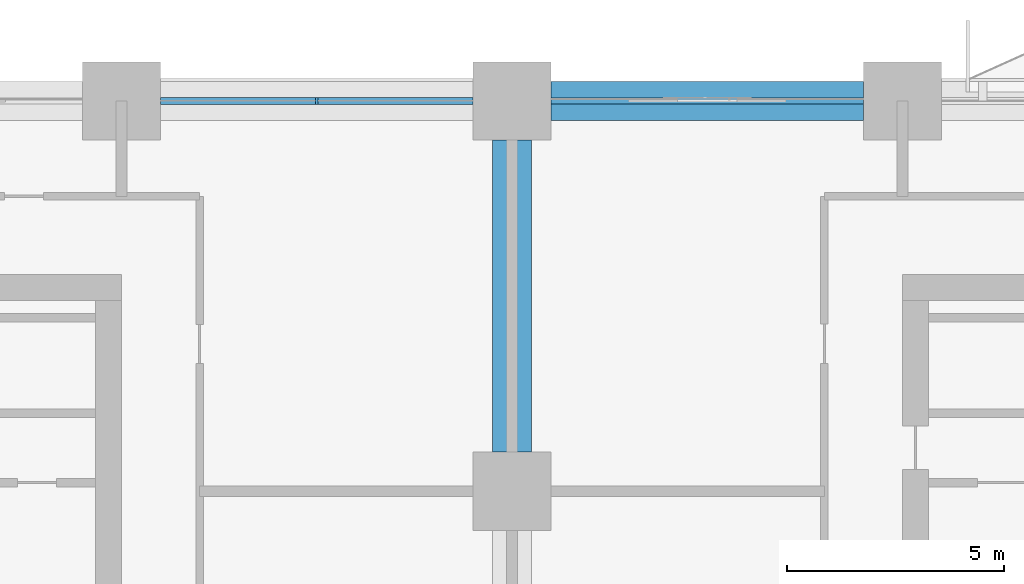
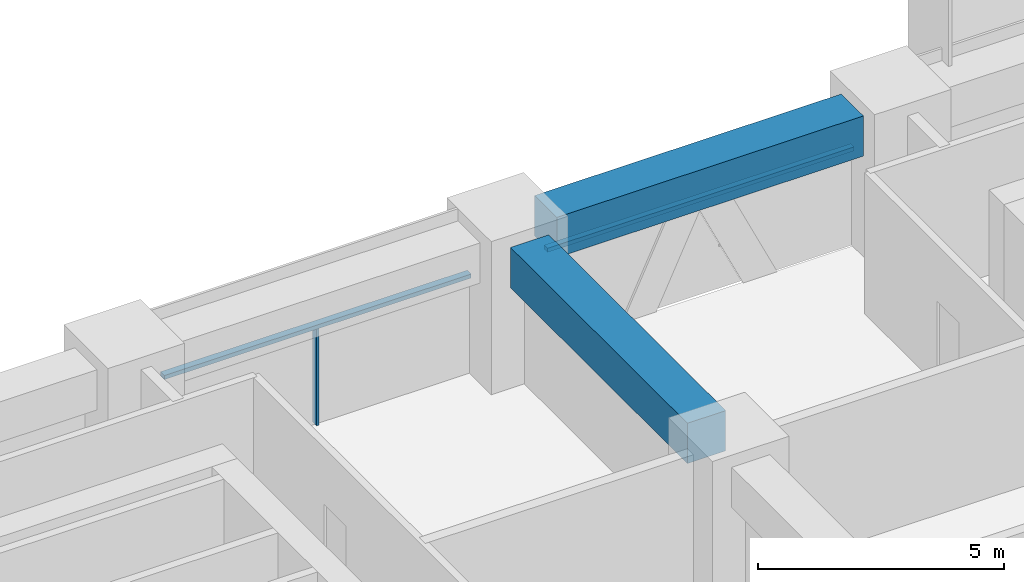
# One storey, part 7 of 26: 3 members, 2 beams, 2 elements without a shape of their own.
"""IFC4 building model written with IfcOpenShell, lengths in metres."""

from ifc_helpers import new_model, si_unit, direction, frame, origin, origin_2d, place, context, subcontext, project, spatial, rectangle, extrude, material, material_profile, profile_set, type_object, element, aggregate, save


model = new_model("IFC4")

# Units and contexts
model_context = context("Model", 3, precision=1e-05, world=origin(), true_north=direction((0.0, 1.0)))
body_context = subcontext(model_context, "Body", "Model", "MODEL_VIEW")
ifc_project = project(units=[si_unit("LENGTHUNIT", "METRE"), si_unit("AREAUNIT", "SQUARE_METRE"), si_unit("VOLUMEUNIT", "CUBIC_METRE"), si_unit("PLANEANGLEUNIT", "RADIAN"), si_unit("MASSUNIT", "GRAM", prefix="KILO")], contexts=[model_context])

# Site, building, storey
site_placement = place(None, origin())
site = spatial("IfcSite", under=ifc_project, at=site_placement, CompositionType="ELEMENT")
building_placement = place(site_placement, origin())
building = spatial("IfcBuilding", under=site, at=building_placement, Name="Tessera Arch", CompositionType="ELEMENT")
storey_placement = place(building_placement, frame((0.0, 0.0, 96.800048828125)))
storey = spatial("IfcBuildingStorey", under=building, at=storey_placement, Name="L22", CompositionType="ELEMENT", Elevation=96.800048828125)

# Curtain wall, members
ifc_material_1 = material(Name="CW1 curtain wall")
curtain_wall_type_1 = type_object("IfcCurtainWallType", Name="CW1 curtain wall", PredefinedType="NOTDEFINED", material=ifc_material_1)
curtain_wall_1_placement = place(storey_placement, origin())
curtain_wall_1 = element("IfcCurtainWall", 1, at=curtain_wall_1_placement, inside=storey, type_object=curtain_wall_type_1, Name="CW1 curtain wall N54.0/2 L22", PredefinedType="NOTDEFINED")
ifc_material_2 = material(Name="Anodised aluminium pale metal", Category="aluminium")
ifc_material_profile_1 = material_profile(ifc_material_2, rectangle(XDim=0.159912109375, YDim=0.06005859375, at=origin_2d()), Name="AL 60x160")
ifc_profile_set_1 = profile_set([ifc_material_profile_1], Name="Anodised aluminium pale metal")
member_type_1 = type_object("IfcMemberType", Name="CW1 mullion", PredefinedType="MULLION", material=ifc_profile_set_1)
member_1_placement = place(storey_placement, frame((22.5, 54.0, 0.0), z_axis=(0.0, 0.0, 1.0), x_axis=(0.0, -1.0, 0.0)))
member_1 = element("IfcMember", 2, at=member_1_placement, type_object=member_type_1, Name="CW1 mullion N54.0/2 1", PredefinedType="MULLION", context=body_context, shape_type="SweptSolid", body=[
    extrude(rectangle(XDim=0.159912109375, YDim=0.06005859375, at=origin_2d()), origin(), (0.0, 0.0, 1.0), 2.39990234375),
])
ifc_material_3 = material(Name="Anodised aluminium pale metal", Category="aluminium")
ifc_material_profile_2 = material_profile(ifc_material_3, rectangle(XDim=0.159912109375, YDim=0.10009765625, at=origin_2d()), Name="AL 160x100")
ifc_profile_set_2 = profile_set([ifc_material_profile_2], Name="Anodised aluminium pale metal")
member_type_2 = type_object("IfcMemberType", Name="CW1 transom", PredefinedType="USERDEFINED", material=ifc_profile_set_2)
member_2_placement = place(storey_placement, frame((26.10009765625, 54.0, 2.449951171875), z_axis=(-1.0, 0.0, 0.0), x_axis=(0.0, -1.0, 0.0)))
member_2 = element("IfcMember", 3, at=member_2_placement, type_object=member_type_2, Name="CW1 transom N54.0/2 1.1", ObjectType="TRANSOM", PredefinedType="USERDEFINED", context=body_context, shape_type="SweptSolid", body=[
    extrude(rectangle(XDim=0.159912109375, YDim=0.10009765625, at=origin_2d()), origin(), (0.0, 0.0, 1.0), 7.2001953125),
])
aggregate(curtain_wall_1, [member_1, member_2])

# Curtain wall, member
ifc_material_4 = material(Name="CW3 curtain wall")
curtain_wall_type_2 = type_object("IfcCurtainWallType", Name="CW3 curtain wall", PredefinedType="NOTDEFINED", material=ifc_material_4)
curtain_wall_2_placement = place(storey_placement, origin())
curtain_wall_2 = element("IfcCurtainWall", 4, at=curtain_wall_2_placement, inside=storey, type_object=curtain_wall_type_2, Name="CW3 curtain wall N54.0/1 L22", PredefinedType="NOTDEFINED")
ifc_material_5 = material(Name="Anodised aluminium pale metal", Category="aluminium")
ifc_material_profile_3 = material_profile(ifc_material_5, rectangle(XDim=0.139892578125, YDim=0.10009765625, at=origin_2d()), Name="AL 140x100")
ifc_profile_set_3 = profile_set([ifc_material_profile_3], Name="Anodised aluminium pale metal")
member_type_3 = type_object("IfcMemberType", Name="CW3 transom", PredefinedType="USERDEFINED", material=ifc_profile_set_3)
member_3_placement = place(storey_placement, frame((35.10009765625, 54.0, 2.449951171875), z_axis=(-1.0, 0.0, 0.0), x_axis=(0.0, -1.0, 0.0)))
member_3 = element("IfcMember", 5, at=member_3_placement, type_object=member_type_3, Name="CW3 transom N54.0/1 1.1", ObjectType="TRANSOM", PredefinedType="USERDEFINED", context=body_context, shape_type="SweptSolid", body=[
    extrude(rectangle(XDim=0.139892578125, YDim=0.10009765625, at=origin_2d()), origin(), (0.0, 0.0, 1.0), 7.2001953125),
])
aggregate(curtain_wall_2, [member_3])

# Beams
ifc_material_6 = material(Name="Concrete C80/95", Category="concrete")
ifc_material_profile_4 = material_profile(ifc_material_6, rectangle(XDim=0.89990234375, YDim=1.0, at=origin_2d()), Name="RC spandrel beam 900 x 1000 Concrete C80/95")
ifc_profile_set_4 = profile_set([ifc_material_profile_4], Name="Concrete C80/95")
beam_type = type_object("IfcBeamType", Name="RC spandrel beam 900 x 1000 Concrete C80/95", PredefinedType="BEAM", material=ifc_profile_set_4)
for number, where, z_axis, x_axis, name in (
    (6, (35.10009765625, 54.0, 3.0), (-1.0, 0.0, 0.0), (0.0, -1.0, 0.0), "Spandrel beam L22 N54.0/1"),
    (7, (27.0, 45.89990234375, 3.0), (0.0, 1.0, 0.0), (-1.0, 0.0, 0.0), "Interface beam L22 I0C4F-C4G"),
):
    element("IfcBeam", number, at=place(storey_placement, frame(where, z_axis=z_axis, x_axis=x_axis)), inside=storey, type_object=beam_type, Name=name, PredefinedType="BEAM", context=body_context, shape_type="SweptSolid", body=[
        extrude(rectangle(XDim=0.89990234375, YDim=1.0, at=origin_2d()), origin(), (0.0, 0.0, 1.0), 7.2001953125),
    ])

save(model, "model.ifc")
